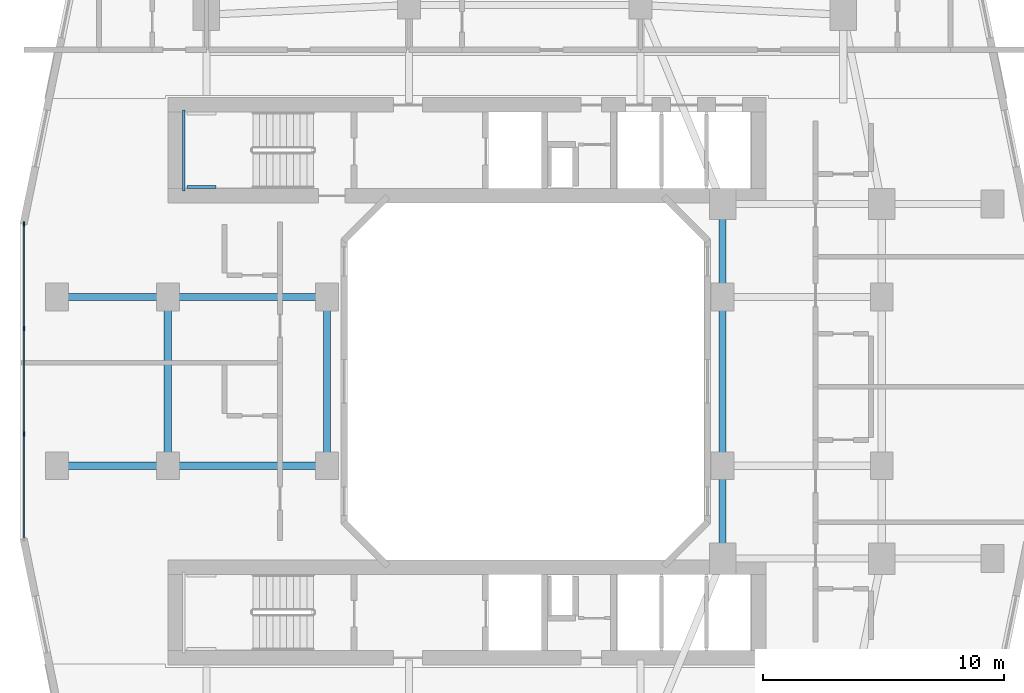
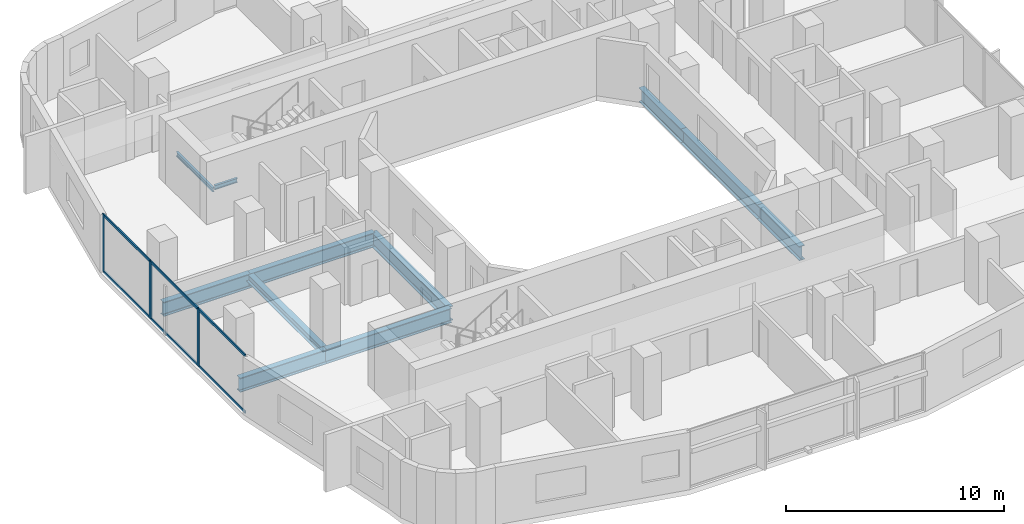
# One storey, part 3 of 27: 11 beams, 9 members, 1 element without a shape of its own.
"""IFC4 building model written with IfcOpenShell, lengths in metres."""

import ifcopenshell
import ifcopenshell.guid

model = None  # the IFC model being written
_history = None  # IfcOwnerHistory: only IFC2X3 demands one
_inside = {}  # id of a spatial element -> (the spatial element, [elements in it])
_under = {}  # id of a project, library or spatial element -> (it, [spatial elements below it])
_declared = {}  # id of a project -> (the project, [libraries it declares])
_typed = {}  # id of a type object -> (the type object, [elements of that type])
_made_of = {}  # id of a material, layer set ... -> (it, [elements and type objects made of it])


def new_model(schema):
    """Start an empty IFC model of exactly this schema.

    Asked for "IFC4X3", IfcOpenShell would pick the latest addendum, in which some entities
    have other attributes; the version numbers below select the first issue.
    IFC2X3 requires an IfcOwnerHistory on every rooted entity: one is made here for all.
    """
    global model, _history
    if schema == "IFC4X3":
        model = ifcopenshell.file(schema_version=(4, 3, 0, 0))
    else:
        model = ifcopenshell.file(schema=schema)
    _inside.clear()
    _under.clear()
    _declared.clear()
    _typed.clear()
    _made_of.clear()
    _history = None
    if model.schema == "IFC2X3":
        org = make("IfcOrganization", Name="unknown")
        user = make(
            "IfcPersonAndOrganization",
            ThePerson=make("IfcPerson", FamilyName="unknown"),
            TheOrganization=org,
        )
        app = make(
            "IfcApplication",
            ApplicationDeveloper=org,
            Version="unknown",
            ApplicationFullName="unknown",
            ApplicationIdentifier="unknown",
        )
        _history = make(
            "IfcOwnerHistory",
            OwningUser=user,
            OwningApplication=app,
            ChangeAction="ADDED",
            CreationDate=0,
        )
    return model


def make(cls, **values):
    """One entity of the class cls with the attributes given. An attribute that is None is left unset."""
    return model.create_entity(
        cls, **{name: value for name, value in values.items() if value is not None}
    )


def rooted(cls, **values):
    """An entity with a GlobalId (a new one), such as an element, a storey or a relation."""
    return make(cls, GlobalId=ifcopenshell.guid.new(), OwnerHistory=_history, **values)


def si_unit(unit_type, name, prefix=None):
    """IfcSIUnit, for example si_unit("LENGTHUNIT", "METRE", prefix="MILLI")."""
    return make("IfcSIUnit", UnitType=unit_type, Prefix=prefix, Name=name)


def derived_unit(unit_type, elements):
    """IfcDerivedUnit: a product of units, each with its exponent."""
    return make(
        "IfcDerivedUnit",
        Elements=[
            make("IfcDerivedUnitElement", Unit=unit, Exponent=power)
            for unit, power in elements
        ],
        UnitType=unit_type,
    )


def assignment(units):
    """IfcUnitAssignment: the units of a project."""
    return None if units is None else make("IfcUnitAssignment", Units=units)


def point(xyz):
    """IfcCartesianPoint."""
    return None if xyz is None else make("IfcCartesianPoint", Coordinates=xyz)


def direction(xyz):
    """IfcDirection."""
    return None if xyz is None else make("IfcDirection", DirectionRatios=xyz)


def frame(location, z_axis=None, x_axis=None):
    """IfcAxis2Placement3D, a coordinate frame: its origin and axes. An axis left out is left unset."""
    return make(
        "IfcAxis2Placement3D",
        Location=point(location),
        Axis=direction(z_axis),
        RefDirection=direction(x_axis),
    )


def frame_2d(location, x_axis=None):
    """IfcAxis2Placement2D, a coordinate frame in the plane: its origin and x axis."""
    return make(
        "IfcAxis2Placement2D", Location=point(location), RefDirection=direction(x_axis)
    )


def origin():
    """The frame at (0, 0, 0) with its axes left unset."""
    return frame((0.0, 0.0, 0.0))


def origin_2d():
    """The frame at (0, 0) in the plane with its x axis left unset."""
    return frame_2d((0.0, 0.0))


def place(relative_to, where):
    """IfcLocalPlacement: puts the frame where relative to a parent placement (None: the world)."""
    return make(
        "IfcLocalPlacement", PlacementRelTo=relative_to, RelativePlacement=where
    )


def context(
    kind, dimensions, precision=None, world=None, true_north=None, identifier=None
):
    """IfcGeometricRepresentationContext, for example the 3D "Model" context."""
    return make(
        "IfcGeometricRepresentationContext",
        ContextIdentifier=identifier,
        ContextType=kind,
        CoordinateSpaceDimension=dimensions,
        Precision=precision,
        WorldCoordinateSystem=world,
        TrueNorth=true_north,
    )


def subcontext(parent, identifier, kind, view, scale=None):
    """IfcGeometricRepresentationSubContext, for example "Body" below "Model"."""
    return make(
        "IfcGeometricRepresentationSubContext",
        ContextIdentifier=identifier,
        ContextType=kind,
        ParentContext=parent,
        TargetScale=scale,
        TargetView=view,
    )


def project(units=None, contexts=None):
    """IfcProject with its units and contexts."""
    return rooted(
        "IfcProject",
        Name="project",
        RepresentationContexts=contexts,
        UnitsInContext=assignment(units),
    )


def spatial(cls, under=None, at=None, **own):
    """A site, building, storey or space (cls), placed at a placement, below another one or the project."""
    s = rooted(cls, ObjectPlacement=at, **own)
    if under is not None:
        _under.setdefault(under.id(), (under, []))[1].append(s)
    return s


def profile(cls, at=None, kind="AREA", **sizes):
    """A parametric profile (cls). Its sizes go by their IFC names, for example OverallWidth=200.0."""
    return make(cls, ProfileType=kind, Position=at, **sizes)


def rectangle(**sizes):
    """IfcRectangleProfileDef."""
    return profile("IfcRectangleProfileDef", **sizes)


def i_section(**sizes):
    """IfcIShapeProfileDef."""
    return profile("IfcIShapeProfileDef", **sizes)


def extrude(swept, where, along, depth):
    """IfcExtrudedAreaSolid: the profile swept, set in the frame where, extruded along a direction by depth."""
    return make(
        "IfcExtrudedAreaSolid",
        SweptArea=swept,
        Position=where,
        ExtrudedDirection=direction(along),
        Depth=depth,
    )


def shape(context_of_items, identifier, shape_type, items):
    """IfcShapeRepresentation: the items that make up one representation, for example the "Body"."""
    return make(
        "IfcShapeRepresentation",
        ContextOfItems=context_of_items,
        RepresentationIdentifier=identifier,
        RepresentationType=shape_type,
        Items=items,
    )


def material(Name=None, Category=None):
    """IfcMaterial."""
    return make("IfcMaterial", Name=Name, Category=Category)


def layer(
    of_material, thickness, ventilated=None, Name=None, Category=None, Priority=None
):
    """IfcMaterialLayer: one layer of a wall or slab, of a material (None: an air gap)."""
    return make(
        "IfcMaterialLayer",
        Material=of_material,
        LayerThickness=thickness,
        IsVentilated=ventilated,
        Name=Name,
        Category=Category,
        Priority=Priority,
    )


def layer_set(layers, Name=None):
    """IfcMaterialLayerSet."""
    return make("IfcMaterialLayerSet", MaterialLayers=layers, LayerSetName=Name)


def material_profile(
    of_material, cross_section, Name=None, Category=None, Priority=None
):
    """IfcMaterialProfile: a cross section and its material."""
    return make(
        "IfcMaterialProfile",
        Name=Name,
        Material=of_material,
        Profile=cross_section,
        Priority=Priority,
        Category=Category,
    )


def profile_set(profiles, Name=None, composite=None):
    """IfcMaterialProfileSet."""
    return make(
        "IfcMaterialProfileSet",
        Name=Name,
        MaterialProfiles=profiles,
        CompositeProfile=composite,
    )


def made_of(thing, what):
    """Note that an element or type object is made of a material, layer set ...; save() writes the relation."""
    if what is not None:
        _made_of.setdefault(what.id(), (what, []))[1].append(thing)
    return thing


def type_object(cls, material=None, **own):
    """A type object (cls), such as IfcWallType, which elements share."""
    return made_of(rooted(cls, **own), material)


def element(
    cls,
    number,
    at=None,
    inside=None,
    cuts=None,
    type_object=None,
    material=None,
    context=None,
    identifier="Body",
    shape_type=None,
    held_by="IfcProductDefinitionShape",
    body=None,
    shapes=None,
    **own,
):
    """One element of the class cls, such as IfcWall. Its Tag is "e" and its number.

    at: its placement. inside: the storey or other place that contains it. cuts: it is an
    opening in that element (IfcRelVoidsElement). A single representation is given by context,
    identifier, shape_type and body (its items); several are given by shapes. held_by: the class
    of the entity that holds the representations. save() writes the other relations.
    """
    e = rooted(cls, Tag="e%d" % number, ObjectPlacement=at, **own)
    if body is not None:
        shapes = [shape(context, identifier, shape_type, body)]
    if shapes is not None:
        e.Representation = make(held_by, Representations=shapes)
    if inside is not None:
        _inside.setdefault(inside.id(), (inside, []))[1].append(e)
    if cuts is not None:
        rooted(
            "IfcRelVoidsElement", RelatingBuildingElement=cuts, RelatedOpeningElement=e
        )
    if type_object is not None:
        _typed.setdefault(type_object.id(), (type_object, []))[1].append(e)
    return made_of(e, material)


def aggregate(whole, parts):
    """IfcRelAggregates: a whole, such as a stair, and the parts it consists of."""
    return rooted("IfcRelAggregates", RelatingObject=whole, RelatedObjects=parts)


def save(model, path):
    """Write the relations noted so far, then the file.

    IfcRelAggregates (storeys below a building ...), IfcRelContainedInSpatialStructure (elements
    in a storey), IfcRelDefinesByType, IfcRelAssociatesMaterial and IfcRelDeclares: one each for
    every whole, place, type object, material and project.
    """
    for whole, parts in _under.values():
        aggregate(whole, parts)
    for where, things in _inside.values():
        rooted(
            "IfcRelContainedInSpatialStructure",
            RelatedElements=things,
            RelatingStructure=where,
        )
    for kind, things in _typed.values():
        rooted("IfcRelDefinesByType", RelatedObjects=things, RelatingType=kind)
    for what, things in _made_of.values():
        rooted("IfcRelAssociatesMaterial", RelatedObjects=things, RelatingMaterial=what)
    for by, libraries in _declared.values():
        rooted("IfcRelDeclares", RelatingContext=by, RelatedDefinitions=libraries)
    model.write(path)


model = new_model("IFC4")

# Units and contexts
model_context = context("Model", 3, precision=1e-05, world=origin(), true_north=direction((0.0, 1.0)))
body_context = subcontext(model_context, "Body", "Model", "MODEL_VIEW")
ifc_project = project(units=[si_unit("LENGTHUNIT", "METRE"), si_unit("AREAUNIT", "SQUARE_METRE"), si_unit("VOLUMEUNIT", "CUBIC_METRE"), si_unit("PLANEANGLEUNIT", "RADIAN"), si_unit("MASSUNIT", "GRAM", prefix="KILO"), derived_unit("THERMALTRANSMITTANCEUNIT", [(si_unit("POWERUNIT", "WATT"), 1), (si_unit("LENGTHUNIT", "METRE"), -2), (si_unit("THERMODYNAMICTEMPERATUREUNIT", "KELVIN"), -1)])], contexts=[model_context])

# Site, building, storey
site_placement = place(None, origin())
site = spatial("IfcSite", under=ifc_project, at=site_placement, CompositionType="ELEMENT")
building_placement = place(site_placement, origin())
building = spatial("IfcBuilding", under=site, at=building_placement, Name="Kivonza Crest Hotel", CompositionType="ELEMENT")
storey_placement = place(building_placement, frame((0.0, 0.0, 41.5)))
storey = spatial("IfcBuildingStorey", under=building, at=storey_placement, Name="L10", CompositionType="ELEMENT", Elevation=41.5)

# Beams
ifc_material_1 = material(Name="Steel S355", Category="steel")
ifc_material_profile_1 = material_profile(ifc_material_1, i_section(OverallWidth=0.300048828125, OverallDepth=0.449951171875, WebThickness=0.013916015625, FlangeThickness=0.02587890625, FilletRadius=0.027099609375, at=origin_2d()), Name="HEB 450")
ifc_profile_set_1 = profile_set([ifc_material_profile_1], Name="Steel S355")
beam_type_1 = type_object("IfcBeamType", Name="BM-HEB450", PredefinedType="SPANDREL", material=ifc_profile_set_1)
beam_1_placement = place(storey_placement, frame((6.199951171875, 28.5, -0.5048828125), z_axis=(0.0, -1.0, 0.0), x_axis=(1.0, 0.0, 0.0)))
element("IfcBeam", 1, at=beam_1_placement, inside=storey, type_object=beam_type_1, Name="Tower T1 L10 perimeter spandrel W2-W1", PredefinedType="SPANDREL", context=body_context, shape_type="SweptSolid", body=[
    extrude(i_section(OverallWidth=0.300048828125, OverallDepth=0.449951171875, WebThickness=0.013916015625, FlangeThickness=0.02587890625, FilletRadius=0.027099609375, at=origin_2d()), origin(), (0.0, 0.0, 1.0), 7.0),
])
ifc_material_profile_2 = material_profile(ifc_material_1, i_section(OverallWidth=0.300048828125, OverallDepth=0.800048828125, WebThickness=0.017578125, FlangeThickness=0.032958984375, FilletRadius=0.030029296875, at=origin_2d()), Name="HEB 800")
ifc_profile_set_2 = profile_set([ifc_material_profile_2], Name="Steel S355")
beam_type_2 = type_object("IfcBeamType", Name="BM-HEB800", PredefinedType="BEAM", material=ifc_profile_set_2)
for number, where, z_axis, x_axis, name in (
    (2, (6.199951171875, 21.5, -0.679931640625), (1.0, 0.0, 0.0), (0.0, 1.0, 0.0), "Tower T1 L10 primary girder W1-WL1"),
    (3, (6.199951171875, 28.5, -0.679931640625), (1.0, 0.0, 0.0), (0.0, 1.0, 0.0), "Tower T1 L10 primary girder W2-WL2"),
):
    element("IfcBeam", number, at=place(storey_placement, frame(where, z_axis=z_axis, x_axis=x_axis)), inside=storey, type_object=beam_type_2, Name=name, PredefinedType="BEAM", context=body_context, shape_type="SweptSolid", body=[
        extrude(i_section(OverallWidth=0.300048828125, OverallDepth=0.800048828125, WebThickness=0.017578125, FlangeThickness=0.032958984375, FilletRadius=0.030029296875, at=origin_2d()), origin(), (0.0, 0.0, 1.0), 6.60009765625),
    ])
for number, where, z_axis, x_axis, name in (
    (4, (12.800048828125, 21.5, -0.679931640625), (0.0, 1.0, 0.0), (-1.0, 0.0, 0.0), "Tower T1 L10 primary girder WL1-WL2"),
    (5, (29.199951171875, 21.5, -0.679931640625), (0.0, 1.0, 0.0), (-1.0, 0.0, 0.0), "Tower T1 L10 primary girder WR1-WR2"),
):
    element("IfcBeam", number, at=place(storey_placement, frame(where, z_axis=z_axis, x_axis=x_axis)), inside=storey, type_object=beam_type_2, Name=name, PredefinedType="BEAM", context=body_context, shape_type="SweptSolid", body=[
        extrude(i_section(OverallWidth=0.300048828125, OverallDepth=0.800048828125, WebThickness=0.017578125, FlangeThickness=0.032958984375, FilletRadius=0.030029296875, at=origin_2d()), origin(), (0.0, 0.0, 1.0), 7.0),
    ])
for number, where, z_axis, x_axis, name in (
    (6, (29.199951171875, 17.64990234375, -0.679931640625), (0.0, 1.0, 0.0), (-1.0, 0.0, 0.0), "Tower T1 L10 primary girder TSE-WR1"),
    (7, (29.199951171875, 28.5, -0.679931640625), (0.0, 1.0, 0.0), (-1.0, 0.0, 0.0), "Tower T1 L10 primary girder WR2-TNE"),
):
    element("IfcBeam", number, at=place(storey_placement, frame(where, z_axis=z_axis, x_axis=x_axis)), inside=storey, type_object=beam_type_2, Name=name, PredefinedType="BEAM", context=body_context, shape_type="SweptSolid", body=[
        extrude(i_section(OverallWidth=0.300048828125, OverallDepth=0.800048828125, WebThickness=0.017578125, FlangeThickness=0.032958984375, FilletRadius=0.030029296875, at=origin_2d()), origin(), (0.0, 0.0, 1.0), 3.85009765625),
    ])
for number, where, z_axis, x_axis, name in (
    (8, (1.60009765625, 21.5, -0.679931640625), (1.0, 0.0, 0.0), (0.0, 1.0, 0.0), "Tower T1 L10 outer bay girder ZW1"),
    (9, (1.60009765625, 28.5, -0.679931640625), (1.0, 0.0, 0.0), (0.0, 1.0, 0.0), "Tower T1 L10 outer bay girder ZW2"),
):
    element("IfcBeam", number, at=place(storey_placement, frame(where, z_axis=z_axis, x_axis=x_axis)), inside=storey, type_object=beam_type_2, Name=name, PredefinedType="BEAM", context=body_context, shape_type="SweptSolid", body=[
        extrude(i_section(OverallWidth=0.300048828125, OverallDepth=0.800048828125, WebThickness=0.017578125, FlangeThickness=0.032958984375, FilletRadius=0.030029296875, at=origin_2d()), origin(), (0.0, 0.0, 1.0), 4.599853515625),
    ])
ifc_material_profile_3 = material_profile(ifc_material_1, i_section(OverallWidth=0.1201171875, OverallDepth=0.239990234375, WebThickness=0.006103515625, FlangeThickness=0.009765625, FilletRadius=0.014892578125, at=origin_2d()), Name="IPE 240")
ifc_profile_set_3 = profile_set([ifc_material_profile_3], Name="Steel S355")
beam_type_3 = type_object("IfcBeamType", Name="BM-LLDG-240", PredefinedType="BEAM", material=ifc_profile_set_3)
beam_2_placement = place(storey_placement, frame((6.860107421875, 32.89990234375, 1.429931640625), z_axis=(0.0, 1.0, 0.0), x_axis=(-1.0, 0.0, 0.0)))
element("IfcBeam", 10, at=beam_2_placement, inside=storey, type_object=beam_type_3, Name="Stair ST-T1-N L10 West landing corbel", PredefinedType="BEAM", context=body_context, shape_type="SweptSolid", body=[
    extrude(i_section(OverallWidth=0.1201171875, OverallDepth=0.239990234375, WebThickness=0.006103515625, FlangeThickness=0.009765625, FilletRadius=0.014892578125, at=origin_2d()), origin(), (0.0, 0.0, 1.0), 3.360107421875),
])
beam_3_placement = place(storey_placement, frame((6.989990234375, 33.06005859375, 1.429931640625), z_axis=(1.0, 0.0, 0.0), x_axis=(0.0, 1.0, 0.0)))
element("IfcBeam", 11, at=beam_3_placement, inside=storey, type_object=beam_type_3, Name="Stair ST-T1-N L10 South landing corbel", PredefinedType="BEAM", context=body_context, shape_type="SweptSolid", body=[
    extrude(i_section(OverallWidth=0.1201171875, OverallDepth=0.239990234375, WebThickness=0.006103515625, FlangeThickness=0.009765625, FilletRadius=0.014892578125, at=origin_2d()), origin(), (0.0, 0.0, 1.0), 1.2099609375),
])

# Curtain wall, members
ifc_material_2 = material(Name="Anodised bronze aluminium and low-E double glazing", Category="aluminium")
ifc_layer = layer(ifc_material_2, 0.179931640625)
ifc_layer_set = layer_set([ifc_layer], Name="Anodised bronze aluminium and low-E double glazing")
curtain_wall_type = type_object("IfcCurtainWallType", Name="CW-SYS-2", PredefinedType="NOTDEFINED", material=ifc_layer_set)
curtain_wall_placement = place(storey_placement, origin())
curtain_wall = element("IfcCurtainWall", 12, at=curtain_wall_placement, inside=storey, type_object=curtain_wall_type, Name="L10 unitised curtain wall CW-T1-L10-35", PredefinedType="NOTDEFINED")
ifc_material_3 = material(Name="Anodised bronze aluminium", Category="aluminium")
ifc_material_profile_4 = material_profile(ifc_material_3, rectangle(XDim=0.06494140625, YDim=0.179931640625, at=origin_2d()), Name="CW-M 65x180")
ifc_profile_set_4 = profile_set([ifc_material_profile_4], Name="Anodised bronze aluminium")
member_type_1 = type_object("IfcMemberType", Name="CW-MUL-65x180", PredefinedType="MULLION", material=ifc_profile_set_4)
member_1_placement = place(storey_placement, frame((0.239990234375, 31.527587890625, 0.0), z_axis=(0.0, 0.0, 1.0), x_axis=(1.0, 0.0, 0.0)))
member_1 = element("IfcMember", 13, at=member_1_placement, type_object=member_type_1, Name="CW-2 mullion 1", PredefinedType="MULLION", context=body_context, shape_type="SweptSolid", body=[
    extrude(rectangle(XDim=0.06494140625, YDim=0.179931640625, at=origin_2d()), origin(), (0.0, 0.0, 1.0), 3.219970703125),
])
member_2_placement = place(storey_placement, frame((0.239990234375, 27.186767578125, 0.0), z_axis=(0.0, 0.0, 1.0), x_axis=(1.0, 0.0, 0.0)))
member_2 = element("IfcMember", 14, at=member_2_placement, type_object=member_type_1, Name="CW-2 mullion 2", PredefinedType="MULLION", context=body_context, shape_type="SweptSolid", body=[
    extrude(rectangle(XDim=0.06494140625, YDim=0.179931640625, at=origin_2d()), origin(), (0.0, 0.0, 1.0), 3.219970703125),
])
member_3_placement = place(storey_placement, frame((0.239990234375, 22.813232421875, 0.0), z_axis=(0.0, 0.0, 1.0), x_axis=(1.0, 0.0, 0.0)))
member_3 = element("IfcMember", 15, at=member_3_placement, type_object=member_type_1, Name="CW-2 mullion 3", PredefinedType="MULLION", context=body_context, shape_type="SweptSolid", body=[
    extrude(rectangle(XDim=0.06494140625, YDim=0.179931640625, at=origin_2d()), origin(), (0.0, 0.0, 1.0), 3.219970703125),
])
ifc_material_profile_5 = material_profile(ifc_material_3, rectangle(XDim=0.06494140625, YDim=0.139892578125, at=origin_2d()), Name="CW-T 65x140")
ifc_profile_set_5 = profile_set([ifc_material_profile_5], Name="Anodised bronze aluminium")
member_type_2 = type_object("IfcMemberType", Name="CW-TRN-65x140", PredefinedType="USERDEFINED", material=ifc_profile_set_5)
member_4_placement = place(storey_placement, frame((0.239990234375, 31.4951171875, 0.032470703125), z_axis=(0.0, -1.0, 0.0), x_axis=(1.0, 0.0, 0.0)))
member_4 = element("IfcMember", 16, at=member_4_placement, type_object=member_type_2, Name="CW-2 transom 1.1", ObjectType="TRANSOM", PredefinedType="USERDEFINED", context=body_context, shape_type="SweptSolid", body=[
    extrude(rectangle(XDim=0.06494140625, YDim=0.139892578125, at=origin_2d()), origin(), (0.0, 0.0, 1.0), 4.27587890625),
])
member_5_placement = place(storey_placement, frame((0.239990234375, 31.4951171875, 3.1875), z_axis=(0.0, -1.0, 0.0), x_axis=(1.0, 0.0, 0.0)))
member_5 = element("IfcMember", 17, at=member_5_placement, type_object=member_type_2, Name="CW-2 transom 1.2", ObjectType="TRANSOM", PredefinedType="USERDEFINED", context=body_context, shape_type="SweptSolid", body=[
    extrude(rectangle(XDim=0.06494140625, YDim=0.139892578125, at=origin_2d()), origin(), (0.0, 0.0, 1.0), 4.27587890625),
])
member_6_placement = place(storey_placement, frame((0.239990234375, 27.154052734375, 0.032470703125), z_axis=(0.0, -1.0, 0.0), x_axis=(1.0, 0.0, 0.0)))
member_6 = element("IfcMember", 18, at=member_6_placement, type_object=member_type_2, Name="CW-2 transom 2.1", ObjectType="TRANSOM", PredefinedType="USERDEFINED", context=body_context, shape_type="SweptSolid", body=[
    extrude(rectangle(XDim=0.06494140625, YDim=0.139892578125, at=origin_2d()), origin(), (0.0, 0.0, 1.0), 4.30810546875),
])
member_7_placement = place(storey_placement, frame((0.239990234375, 27.154052734375, 3.1875), z_axis=(0.0, -1.0, 0.0), x_axis=(1.0, 0.0, 0.0)))
member_7 = element("IfcMember", 19, at=member_7_placement, type_object=member_type_2, Name="CW-2 transom 2.2", ObjectType="TRANSOM", PredefinedType="USERDEFINED", context=body_context, shape_type="SweptSolid", body=[
    extrude(rectangle(XDim=0.06494140625, YDim=0.139892578125, at=origin_2d()), origin(), (0.0, 0.0, 1.0), 4.30810546875),
])
member_8_placement = place(storey_placement, frame((0.239990234375, 22.78076171875, 0.032470703125), z_axis=(0.0, -1.0, 0.0), x_axis=(1.0, 0.0, 0.0)))
member_8 = element("IfcMember", 20, at=member_8_placement, type_object=member_type_2, Name="CW-2 transom 3.1", ObjectType="TRANSOM", PredefinedType="USERDEFINED", context=body_context, shape_type="SweptSolid", body=[
    extrude(rectangle(XDim=0.06494140625, YDim=0.139892578125, at=origin_2d()), origin(), (0.0, 0.0, 1.0), 4.27587890625),
])
member_9_placement = place(storey_placement, frame((0.239990234375, 22.78076171875, 3.1875), z_axis=(0.0, -1.0, 0.0), x_axis=(1.0, 0.0, 0.0)))
member_9 = element("IfcMember", 21, at=member_9_placement, type_object=member_type_2, Name="CW-2 transom 3.2", ObjectType="TRANSOM", PredefinedType="USERDEFINED", context=body_context, shape_type="SweptSolid", body=[
    extrude(rectangle(XDim=0.06494140625, YDim=0.139892578125, at=origin_2d()), origin(), (0.0, 0.0, 1.0), 4.27587890625),
])
aggregate(curtain_wall, [member_1, member_2, member_3, member_4, member_5, member_6, member_7, member_8, member_9])

save(model, "model.ifc")
